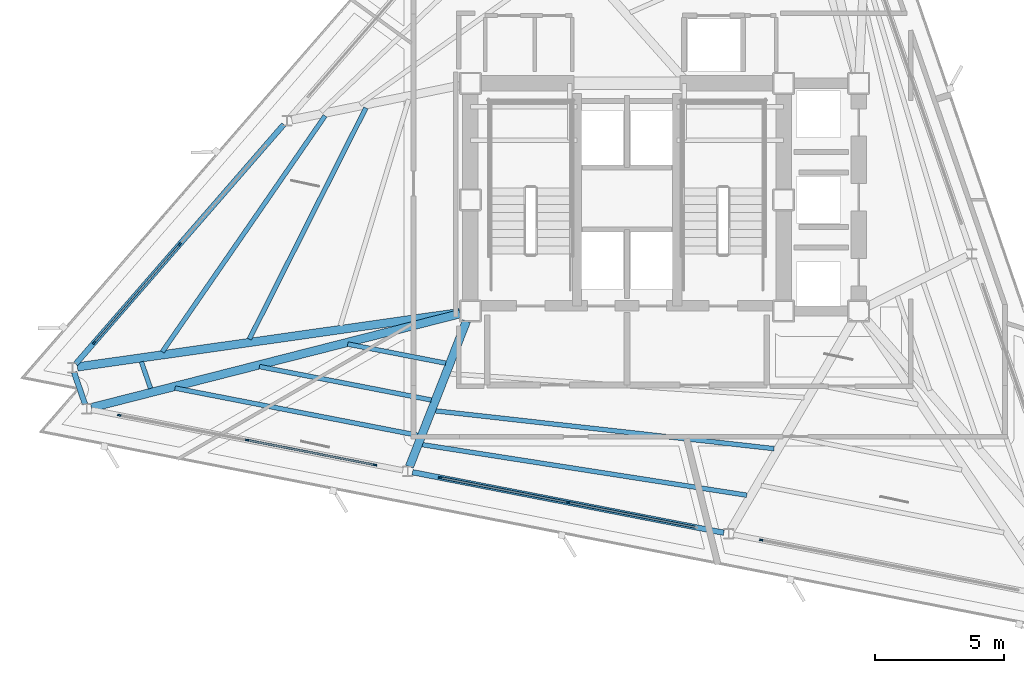
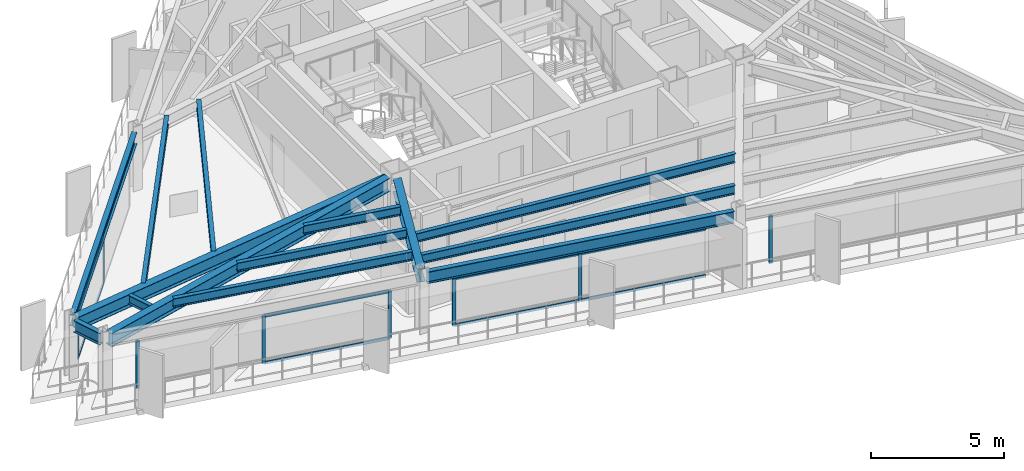
# One storey, part 2 of 13: 16 members, 14 beams, 4 elements without a shape of their own.
"""IFC4 building model written with IfcOpenShell, lengths in metres."""

from ifc_helpers import new_model, si_unit, direction, frame, origin, origin_2d, place, context, subcontext, project, spatial, rectangle, i_section, extrude, material, layer, layer_set, material_profile, profile_set, type_object, element, aggregate, save


model = new_model("IFC4")

# Units and contexts
model_context = context("Model", 3, precision=1e-05, world=origin(), true_north=direction((0.0, 1.0)))
body_context = subcontext(model_context, "Body", "Model", "MODEL_VIEW")
ifc_project = project(units=[si_unit("LENGTHUNIT", "METRE"), si_unit("AREAUNIT", "SQUARE_METRE"), si_unit("VOLUMEUNIT", "CUBIC_METRE"), si_unit("PLANEANGLEUNIT", "RADIAN"), si_unit("MASSUNIT", "GRAM", prefix="KILO")], contexts=[model_context])

# Site, building, storey
site_placement = place(None, origin())
site = spatial("IfcSite", under=ifc_project, at=site_placement, CompositionType="ELEMENT")
building_placement = place(site_placement, origin())
building = spatial("IfcBuilding", under=site, at=building_placement, Name="Rocaltana Carrier Exchange", CompositionType="ELEMENT")
storey_placement = place(building_placement, frame((0.0, 0.0, 153.280029296875)))
storey = spatial("IfcBuildingStorey", under=building, at=storey_placement, Name="L48", CompositionType="ELEMENT", Elevation=153.280029296875)

# Curtain wall, members
ifc_material_1 = material(Name="Aluminium 6063-T6", Category="aluminium")
ifc_layer = layer(ifc_material_1, 0.135009765625)
ifc_layer_set = layer_set([ifc_layer], Name="Aluminium 6063-T6")
curtain_wall_type = type_object("IfcCurtainWallType", Name="Upper-Mid Acoustic Curtain Wall CW-04", PredefinedType="NOTDEFINED", material=ifc_layer_set)
curtain_wall_1_placement = place(storey_placement, origin())
curtain_wall_1 = element("IfcCurtainWall", 1, at=curtain_wall_1_placement, inside=storey, type_object=curtain_wall_type, Name="L48 CW-04 Run CW-L48-F2S3", PredefinedType="NOTDEFINED")
ifc_material_2 = material(Name="Aluminium 6063-T6", Category="aluminium")
ifc_material_profile_1 = material_profile(ifc_material_2, rectangle(XDim=0.06494140625, YDim=0.135009765625, at=origin_2d()), Name="AL-65X135")
ifc_profile_set_1 = profile_set([ifc_material_profile_1], Name="Aluminium 6063-T6")
member_type_1 = type_object("IfcMemberType", Name="CW-04 Mullion AL-65X135", PredefinedType="MULLION", material=ifc_profile_set_1)
member_1_placement = place(storey_placement, frame((-17.279541015625, -1.718505859375, 0.0), z_axis=(0.0, 0.0, 1.0), x_axis=(0.75471173919, -0.656056545375, 0.0)))
member_1 = element("IfcMember", 2, at=member_1_placement, type_object=member_type_1, Name="CW-04 mullion 2", PredefinedType="MULLION", context=body_context, shape_type="SweptSolid", body=[
    extrude(rectangle(XDim=0.06494140625, YDim=0.135009765625, at=origin_2d()), origin(), (0.0, 0.0, 1.0), 2.218017578125),
])
member_2_placement = place(storey_placement, frame((-20.582275390625, -5.517822265625, 0.0), z_axis=(0.0, 0.0, 1.0), x_axis=(0.75471173919, -0.656056545375, 0.0)))
member_2 = element("IfcMember", 3, at=member_2_placement, type_object=member_type_1, Name="CW-04 mullion 3", PredefinedType="MULLION", context=body_context, shape_type="SweptSolid", body=[
    extrude(rectangle(XDim=0.06494140625, YDim=0.135009765625, at=origin_2d()), origin(), (0.0, 0.0, 1.0), 2.218017578125),
])

curtain_wall_2_placement = place(storey_placement, origin())
curtain_wall_2 = element("IfcCurtainWall", 4, at=curtain_wall_2_placement, inside=storey, type_object=curtain_wall_type, Name="L48 CW-04 Run CW-L48-F3S1", PredefinedType="NOTDEFINED")
member_3_placement = place(storey_placement, frame((-19.6162109375, -8.323486328125, 0.0), z_axis=(0.0, 0.0, 1.0), x_axis=(0.190803361378, 0.981628278569, 0.0)))
member_3 = element("IfcMember", 5, at=member_3_placement, type_object=member_type_1, Name="CW-04 mullion 1", PredefinedType="MULLION", context=body_context, shape_type="SweptSolid", body=[
    extrude(rectangle(XDim=0.06494140625, YDim=0.135009765625, at=origin_2d()), origin(), (0.0, 0.0, 1.0), 2.218017578125),
])
member_4_placement = place(storey_placement, frame((-14.674560546875, -9.2841796875, 0.0), z_axis=(0.0, 0.0, 1.0), x_axis=(0.190803361378, 0.981628278569, 0.0)))
member_4 = element("IfcMember", 6, at=member_4_placement, type_object=member_type_1, Name="CW-04 mullion 2", PredefinedType="MULLION", context=body_context, shape_type="SweptSolid", body=[
    extrude(rectangle(XDim=0.06494140625, YDim=0.135009765625, at=origin_2d()), origin(), (0.0, 0.0, 1.0), 2.218017578125),
])
member_5_placement = place(storey_placement, frame((-9.732666015625, -10.24462890625, 0.0), z_axis=(0.0, 0.0, 1.0), x_axis=(0.190803361378, 0.981628278569, 0.0)))
member_5 = element("IfcMember", 7, at=member_5_placement, type_object=member_type_1, Name="CW-04 mullion 3", PredefinedType="MULLION", context=body_context, shape_type="SweptSolid", body=[
    extrude(rectangle(XDim=0.06494140625, YDim=0.135009765625, at=origin_2d()), origin(), (0.0, 0.0, 1.0), 2.218017578125),
])

curtain_wall_3_placement = place(storey_placement, origin())
curtain_wall_3 = element("IfcCurtainWall", 8, at=curtain_wall_3_placement, inside=storey, type_object=curtain_wall_type, Name="L48 CW-04 Run CW-L48-F3S2", PredefinedType="NOTDEFINED")
member_6_placement = place(storey_placement, frame((-7.21484375, -10.734130859375, 0.0), z_axis=(0.0, 0.0, 1.0), x_axis=(0.190814718784, 0.981626070913, 0.0)))
member_6 = element("IfcMember", 9, at=member_6_placement, type_object=member_type_1, Name="CW-04 mullion 1", PredefinedType="MULLION", context=body_context, shape_type="SweptSolid", body=[
    extrude(rectangle(XDim=0.06494140625, YDim=0.135009765625, at=origin_2d()), origin(), (0.0, 0.0, 1.0), 2.218017578125),
])
member_7_placement = place(storey_placement, frame((-2.273193359375, -11.694580078125, 0.0), z_axis=(0.0, 0.0, 1.0), x_axis=(0.190814718784, 0.981626070913, 0.0)))
member_7 = element("IfcMember", 10, at=member_7_placement, type_object=member_type_1, Name="CW-04 mullion 2", PredefinedType="MULLION", context=body_context, shape_type="SweptSolid", body=[
    extrude(rectangle(XDim=0.06494140625, YDim=0.135009765625, at=origin_2d()), origin(), (0.0, 0.0, 1.0), 2.218017578125),
])

# Curtain wall, member
curtain_wall_4_placement = place(storey_placement, origin())
curtain_wall_4 = element("IfcCurtainWall", 11, at=curtain_wall_4_placement, inside=storey, type_object=curtain_wall_type, Name="L48 CW-04 Run CW-L48-F3S3", PredefinedType="NOTDEFINED")
member_8_placement = place(storey_placement, frame((5.186279296875, -13.144775390625, 0.0), z_axis=(0.0, 0.0, 1.0), x_axis=(0.190805209699, 0.981627919301, 0.0)))
member_8 = element("IfcMember", 12, at=member_8_placement, type_object=member_type_1, Name="CW-04 mullion 1", PredefinedType="MULLION", context=body_context, shape_type="SweptSolid", body=[
    extrude(rectangle(XDim=0.06494140625, YDim=0.135009765625, at=origin_2d()), origin(), (0.0, 0.0, 1.0), 2.218017578125),
])
aggregate(curtain_wall_4, [member_8])

# Member
ifc_material_3 = material(Name="Aluminium 6063-T6", Category="aluminium")
ifc_material_profile_2 = material_profile(ifc_material_3, rectangle(XDim=0.06494140625, YDim=0.135009765625, at=origin_2d()), Name="AL-65X135")
ifc_profile_set_2 = profile_set([ifc_material_profile_2], Name="Aluminium 6063-T6")
member_type_2 = type_object("IfcMemberType", Name="CW-04 Transom AL-65X135", PredefinedType="USERDEFINED", material=ifc_profile_set_2)
member_9_placement = place(storey_placement, frame((-17.30078125, -1.742919921875, 0.032470703125), z_axis=(-0.656055850486, -0.754712343243, 0.0), x_axis=(0.754712343243, -0.656055850486, 0.0)))
member_9 = element("IfcMember", 13, at=member_9_placement, type_object=member_type_2, Name="CW-04 transom 2.1", ObjectType="TRANSOM", PredefinedType="USERDEFINED", context=body_context, shape_type="SweptSolid", body=[
    extrude(rectangle(XDim=0.06494140625, YDim=0.135009765625, at=origin_2d()), origin(), (0.0, 0.0, 1.0), 4.968994140625),
])

member_10_placement = place(storey_placement, frame((-17.30078125, -1.742919921875, 2.185546875), z_axis=(-0.656055850486, -0.754712343243, 0.0), x_axis=(0.754712343243, -0.656055850486, 0.0)))
member_10 = element("IfcMember", 14, at=member_10_placement, type_object=member_type_2, Name="CW-04 transom 2.2", ObjectType="TRANSOM", PredefinedType="USERDEFINED", context=body_context, shape_type="SweptSolid", body=[
    extrude(rectangle(XDim=0.06494140625, YDim=0.135009765625, at=origin_2d()), origin(), (0.0, 0.0, 1.0), 4.968994140625),
])

aggregate(curtain_wall_1, [member_1, member_2, member_9, member_10])

member_11_placement = place(storey_placement, frame((-14.642578125, -9.290283203125, 0.032470703125), z_axis=(0.981624593621, -0.1908223184, 0.0), x_axis=(0.1908223184, 0.981624593621, 0.0)))
member_11 = element("IfcMember", 15, at=member_11_placement, type_object=member_type_2, Name="CW-04 transom 2.1", ObjectType="TRANSOM", PredefinedType="USERDEFINED", context=body_context, shape_type="SweptSolid", body=[
    extrude(rectangle(XDim=0.06494140625, YDim=0.135009765625, at=origin_2d()), origin(), (0.0, 0.0, 1.0), 4.96923828125),
])

member_12_placement = place(storey_placement, frame((-14.642578125, -9.290283203125, 2.185546875), z_axis=(0.981624593621, -0.1908223184, 0.0), x_axis=(0.1908223184, 0.981624593621, 0.0)))
member_12 = element("IfcMember", 16, at=member_12_placement, type_object=member_type_2, Name="CW-04 transom 2.2", ObjectType="TRANSOM", PredefinedType="USERDEFINED", context=body_context, shape_type="SweptSolid", body=[
    extrude(rectangle(XDim=0.06494140625, YDim=0.135009765625, at=origin_2d()), origin(), (0.0, 0.0, 1.0), 4.96923828125),
])

aggregate(curtain_wall_2, [member_3, member_4, member_5, member_11, member_12])

member_13_placement = place(storey_placement, frame((-7.18310546875, -10.740234375, 0.032470703125), z_axis=(0.981624593621, -0.1908223184, 0.0), x_axis=(0.1908223184, 0.981624593621, 0.0)))
member_13 = element("IfcMember", 17, at=member_13_placement, type_object=member_type_2, Name="CW-04 transom 1.1", ObjectType="TRANSOM", PredefinedType="USERDEFINED", context=body_context, shape_type="SweptSolid", body=[
    extrude(rectangle(XDim=0.06494140625, YDim=0.135009765625, at=origin_2d()), origin(), (0.0, 0.0, 1.0), 4.96923828125),
])

member_14_placement = place(storey_placement, frame((-7.18310546875, -10.740234375, 2.185546875), z_axis=(0.981624593621, -0.1908223184, 0.0), x_axis=(0.1908223184, 0.981624593621, 0.0)))
member_14 = element("IfcMember", 18, at=member_14_placement, type_object=member_type_2, Name="CW-04 transom 1.2", ObjectType="TRANSOM", PredefinedType="USERDEFINED", context=body_context, shape_type="SweptSolid", body=[
    extrude(rectangle(XDim=0.06494140625, YDim=0.135009765625, at=origin_2d()), origin(), (0.0, 0.0, 1.0), 4.96923828125),
])

member_15_placement = place(storey_placement, frame((-2.2412109375, -11.700927734375, 0.032470703125), z_axis=(0.9816228045, -0.190831521732, 0.0), x_axis=(0.190831521732, 0.9816228045, 0.0)))
member_15 = element("IfcMember", 19, at=member_15_placement, type_object=member_type_2, Name="CW-04 transom 2.1", ObjectType="TRANSOM", PredefinedType="USERDEFINED", context=body_context, shape_type="SweptSolid", body=[
    extrude(rectangle(XDim=0.06494140625, YDim=0.135009765625, at=origin_2d()), origin(), (0.0, 0.0, 1.0), 4.968994140625),
])

member_16_placement = place(storey_placement, frame((-2.2412109375, -11.700927734375, 2.185546875), z_axis=(0.9816228045, -0.190831521732, 0.0), x_axis=(0.190831521732, 0.9816228045, 0.0)))
member_16 = element("IfcMember", 20, at=member_16_placement, type_object=member_type_2, Name="CW-04 transom 2.2", ObjectType="TRANSOM", PredefinedType="USERDEFINED", context=body_context, shape_type="SweptSolid", body=[
    extrude(rectangle(XDim=0.06494140625, YDim=0.135009765625, at=origin_2d()), origin(), (0.0, 0.0, 1.0), 4.968994140625),
])

aggregate(curtain_wall_3, [member_6, member_7, member_13, member_14, member_15, member_16])

# Beams
ifc_material_4 = material(Name="Steel S355", Category="steel")
ifc_material_profile_3 = material_profile(ifc_material_4, i_section(OverallWidth=0.179931640625, OverallDepth=0.4130859375, WebThickness=0.009765625, FlangeThickness=0.01611328125, FilletRadius=0.012939453125, at=origin_2d()), Name="W16X50")
ifc_profile_set_3 = profile_set([ifc_material_profile_3], Name="Steel S355")
beam_type_1 = type_object("IfcBeamType", Name="Floor Joist W16X50", PredefinedType="JOIST", material=ifc_profile_set_3)
beam_1_placement = place(storey_placement, frame((-10.087890625, 3.548095703125, 2.58154296875), z_axis=(-0.449993841854, -0.893031658058, 0.0), x_axis=(0.893031658058, -0.449993841854, 0.0)))
element("IfcBeam", 21, at=beam_1_placement, inside=storey, type_object=beam_type_1, Name="FJ-L48-07-2", PredefinedType="JOIST", context=body_context, shape_type="SweptSolid", body=[
    extrude(i_section(OverallWidth=0.179931640625, OverallDepth=0.4130859375, WebThickness=0.009765625, FlangeThickness=0.01611328125, FilletRadius=0.012939453125, at=origin_2d()), origin(), (0.0, 0.0, 1.0), 10.0029296875),
])
beam_2_placement = place(storey_placement, frame((-11.665283203125, 3.239501953125, 2.58154296875), z_axis=(-0.567777260515, -0.823182229183, 0.0), x_axis=(0.823182229183, -0.567777260515, 0.0)))
element("IfcBeam", 22, at=beam_2_placement, inside=storey, type_object=beam_type_1, Name="FJ-L48-07-3", PredefinedType="JOIST", context=body_context, shape_type="SweptSolid", body=[
    extrude(i_section(OverallWidth=0.179931640625, OverallDepth=0.4130859375, WebThickness=0.009765625, FlangeThickness=0.01611328125, FilletRadius=0.012939453125, at=origin_2d()), origin(), (0.0, 0.0, 1.0), 11.073974609375),
])
beam_3_placement = place(storey_placement, frame((-18.75927734375, -6.26171875, 2.58154296875), z_axis=(0.32558209601, -0.945513775023, 0.0), x_axis=(0.945513775023, 0.32558209601, 0.0)))
element("IfcBeam", 23, at=beam_3_placement, inside=storey, type_object=beam_type_1, Name="FJ-L48-08-3", PredefinedType="JOIST", context=body_context, shape_type="SweptSolid", body=[
    extrude(i_section(OverallWidth=0.179931640625, OverallDepth=0.4130859375, WebThickness=0.009765625, FlangeThickness=0.01611328125, FilletRadius=0.012939453125, at=origin_2d()), origin(), (0.0, 0.0, 1.0), 1.08642578125),
])
beam_4_placement = place(storey_placement, frame((-10.7890625, -5.576904296875, 2.58154296875), z_axis=(0.981632516302, -0.190781558172, 0.0), x_axis=(0.190781558172, 0.981632516302, 0.0)))
element("IfcBeam", 24, at=beam_4_placement, inside=storey, type_object=beam_type_1, Name="FJ-L48-09-1", PredefinedType="JOIST", context=body_context, shape_type="SweptSolid", body=[
    extrude(i_section(OverallWidth=0.179931640625, OverallDepth=0.4130859375, WebThickness=0.009765625, FlangeThickness=0.01611328125, FilletRadius=0.012939453125, at=origin_2d()), origin(), (0.0, 0.0, 1.0), 3.85693359375),
])
beam_5_placement = place(storey_placement, frame((-14.198974609375, -6.44580078125, 2.58154296875), z_axis=(0.981623092211, -0.190830041758, 0.0), x_axis=(0.190830041758, 0.981623092211, 0.0)))
element("IfcBeam", 25, at=beam_5_placement, inside=storey, type_object=beam_type_1, Name="FJ-L48-09-2", PredefinedType="JOIST", context=body_context, shape_type="SweptSolid", body=[
    extrude(i_section(OverallWidth=0.179931640625, OverallDepth=0.4130859375, WebThickness=0.009765625, FlangeThickness=0.01611328125, FilletRadius=0.012939453125, at=origin_2d()), origin(), (0.0, 0.0, 1.0), 6.7626953125),
])
beam_6_placement = place(storey_placement, frame((-17.46044921875, -7.27734375, 2.58154296875), z_axis=(0.981630034489, -0.190794327456, 0.0), x_axis=(0.190794327456, 0.981630034489, 0.0)))
element("IfcBeam", 26, at=beam_6_placement, inside=storey, type_object=beam_type_1, Name="FJ-L48-09-3", PredefinedType="JOIST", context=body_context, shape_type="SweptSolid", body=[
    extrude(i_section(OverallWidth=0.179931640625, OverallDepth=0.4130859375, WebThickness=0.009765625, FlangeThickness=0.01611328125, FilletRadius=0.012939453125, at=origin_2d()), origin(), (0.0, 0.0, 1.0), 9.5419921875),
])
beam_7_placement = place(storey_placement, frame((-7.397705078125, -8.15478515625, 2.58154296875), z_axis=(0.993827043541, -0.110940558529, 0.0), x_axis=(0.110940558529, 0.993827043541, 0.0)))
element("IfcBeam", 27, at=beam_7_placement, inside=storey, type_object=beam_type_1, Name="FJ-L48-10-2", PredefinedType="JOIST", context=body_context, shape_type="SweptSolid", body=[
    extrude(i_section(OverallWidth=0.179931640625, OverallDepth=0.4130859375, WebThickness=0.009765625, FlangeThickness=0.01611328125, FilletRadius=0.012939453125, at=origin_2d()), origin(), (0.0, 0.0, 1.0), 13.159912109375),
])
beam_8_placement = place(storey_placement, frame((-7.90771484375, -9.461181640625, 2.58154296875), z_axis=(0.988080457821, -0.153938328148, 0.0), x_axis=(0.153938328148, 0.988080457821, 0.0)))
element("IfcBeam", 28, at=beam_8_placement, inside=storey, type_object=beam_type_1, Name="FJ-L48-10-3", PredefinedType="JOIST", context=body_context, shape_type="SweptSolid", body=[
    extrude(i_section(OverallWidth=0.179931640625, OverallDepth=0.4130859375, WebThickness=0.009765625, FlangeThickness=0.01611328125, FilletRadius=0.012939453125, at=origin_2d()), origin(), (0.0, 0.0, 1.0), 12.68603515625),
])
ifc_material_5 = material(Name="Steel S355", Category="steel")
ifc_material_profile_4 = material_profile(ifc_material_5, i_section(OverallWidth=0.323974609375, OverallDepth=0.611083984375, WebThickness=0.0126953125, FlangeThickness=0.01904296875, FilletRadius=0.01611328125, at=origin_2d()), Name="W24X104")
ifc_profile_set_4 = profile_set([ifc_material_profile_4], Name="Steel S355")
beam_type_2 = type_object("IfcBeamType", Name="Radial Girder W24X104", PredefinedType="BEAM", material=ifc_profile_set_4)
beam_9_placement = place(storey_placement, frame((-6.462890625, -4.358642578125, 2.482421875), z_axis=(-0.990043529364, -0.14076153581, 0.0), x_axis=(0.14076153581, -0.990043529364, 0.0)))
element("IfcBeam", 29, at=beam_9_placement, inside=storey, type_object=beam_type_2, Name="RG-L48-08", PredefinedType="BEAM", context=body_context, shape_type="SweptSolid", body=[
    extrude(i_section(OverallWidth=0.323974609375, OverallDepth=0.611083984375, WebThickness=0.0126953125, FlangeThickness=0.01904296875, FilletRadius=0.01611328125, at=origin_2d()), origin(), (0.0, 0.0, 1.0), 14.91943359375),
])
beam_10_placement = place(storey_placement, frame((-6.4541015625, -4.403076171875, 2.482421875), z_axis=(-0.969017811035, -0.246990853873, 0.0), x_axis=(0.246990853873, -0.969017811035, 0.0)))
element("IfcBeam", 30, at=beam_10_placement, inside=storey, type_object=beam_type_2, Name="RG-L48-09", PredefinedType="BEAM", context=body_context, shape_type="SweptSolid", body=[
    extrude(i_section(OverallWidth=0.323974609375, OverallDepth=0.611083984375, WebThickness=0.0126953125, FlangeThickness=0.01904296875, FilletRadius=0.01611328125, at=origin_2d()), origin(), (0.0, 0.0, 1.0), 14.6904296875),
])
beam_11_placement = place(storey_placement, frame((-6.2021484375, -4.688232421875, 2.482421875), z_axis=(-0.364640194484, -0.931148499739, 0.0), x_axis=(0.931148499739, -0.364640194484, 0.0)))
element("IfcBeam", 31, at=beam_11_placement, inside=storey, type_object=beam_type_2, Name="RG-L48-10", PredefinedType="BEAM", context=body_context, shape_type="SweptSolid", body=[
    extrude(i_section(OverallWidth=0.323974609375, OverallDepth=0.611083984375, WebThickness=0.0126953125, FlangeThickness=0.01904296875, FilletRadius=0.01611328125, at=origin_2d()), origin(), (0.0, 0.0, 1.0), 6.03857421875),
])
ifc_material_6 = material(Name="Steel S355", Category="steel")
ifc_material_profile_5 = material_profile(ifc_material_6, i_section(OverallWidth=0.2119140625, OverallDepth=0.5439453125, WebThickness=0.01318359375, FlangeThickness=0.021240234375, FilletRadius=0.014892578125, at=origin_2d()), Name="W21X83")
ifc_profile_set_5 = profile_set([ifc_material_profile_5], Name="Steel S355")
beam_type_3 = type_object("IfcBeamType", Name="Spandrel Edge Beam W21X83", PredefinedType="SPANDREL", material=ifc_profile_set_5)
beam_12_placement = place(storey_placement, frame((-13.260986328125, 2.904296875, 2.515869140625), z_axis=(-0.65606029169, -0.754708482573, 0.0), x_axis=(0.754708482573, -0.65606029169, 0.0)))
element("IfcBeam", 32, at=beam_12_placement, inside=storey, type_object=beam_type_3, Name="SP-L48-07", PredefinedType="SPANDREL", context=body_context, shape_type="SweptSolid", body=[
    extrude(i_section(OverallWidth=0.2119140625, OverallDepth=0.5439453125, WebThickness=0.01318359375, FlangeThickness=0.021240234375, FilletRadius=0.014892578125, at=origin_2d()), origin(), (0.0, 0.0, 1.0), 12.25048828125),
])
beam_13_placement = place(storey_placement, frame((-21.361328125, -6.666748046875, 2.515869140625), z_axis=(0.325551418294, -0.945524338157, 0.0), x_axis=(0.945524338157, 0.325551418294, 0.0)))
element("IfcBeam", 33, at=beam_13_placement, inside=storey, type_object=beam_type_3, Name="SP-L48-08", PredefinedType="SPANDREL", context=body_context, shape_type="SweptSolid", body=[
    extrude(i_section(OverallWidth=0.2119140625, OverallDepth=0.5439453125, WebThickness=0.01318359375, FlangeThickness=0.021240234375, FilletRadius=0.014892578125, at=origin_2d()), origin(), (0.0, 0.0, 1.0), 1.3017578125),
])
beam_14_placement = place(storey_placement, frame((-8.285888671875, -10.52587890625, 2.515869140625), z_axis=(0.981624930675, -0.190820584522, 0.0), x_axis=(0.190820584522, 0.981624930675, 0.0)))
element("IfcBeam", 34, at=beam_14_placement, inside=storey, type_object=beam_type_3, Name="SP-L48-10", PredefinedType="SPANDREL", context=body_context, shape_type="SweptSolid", body=[
    extrude(i_section(OverallWidth=0.2119140625, OverallDepth=0.5439453125, WebThickness=0.01318359375, FlangeThickness=0.021240234375, FilletRadius=0.014892578125, at=origin_2d()), origin(), (0.0, 0.0, 1.0), 12.25048828125),
])

save(model, "model.ifc")
